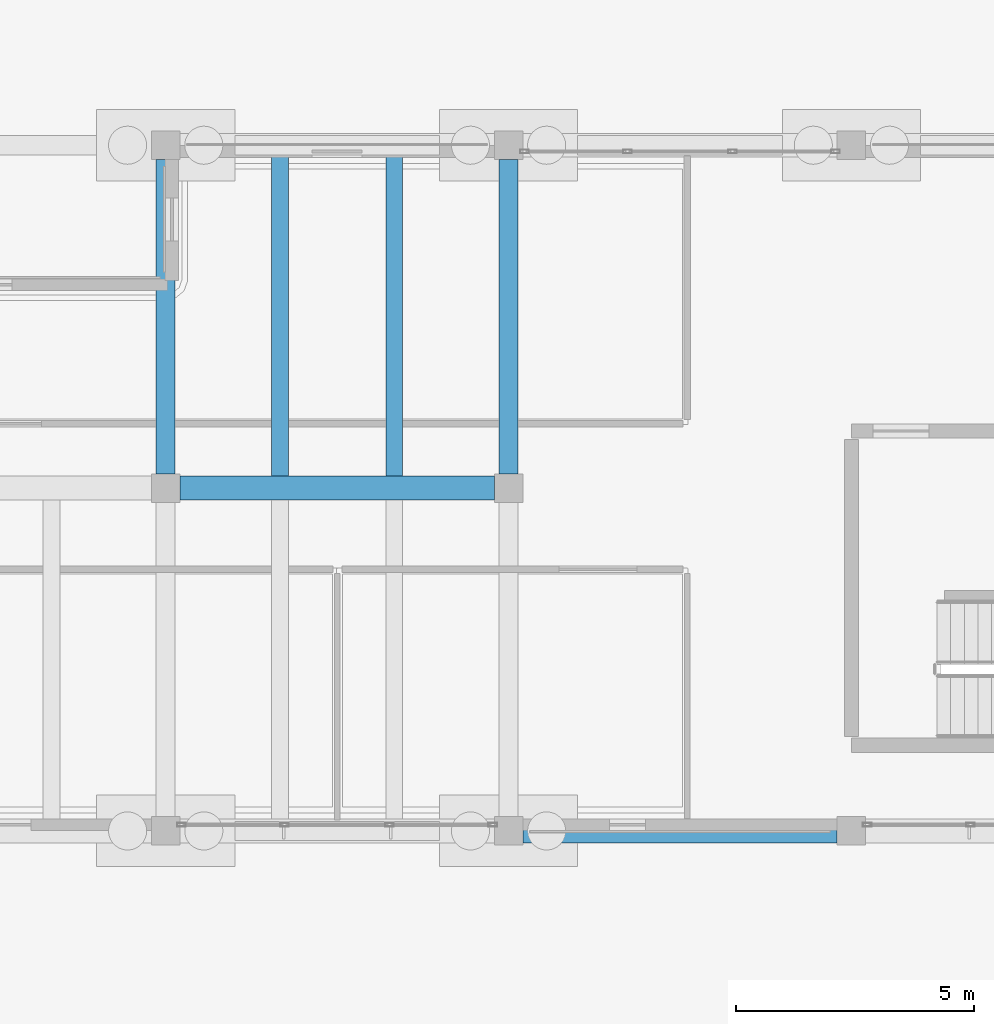
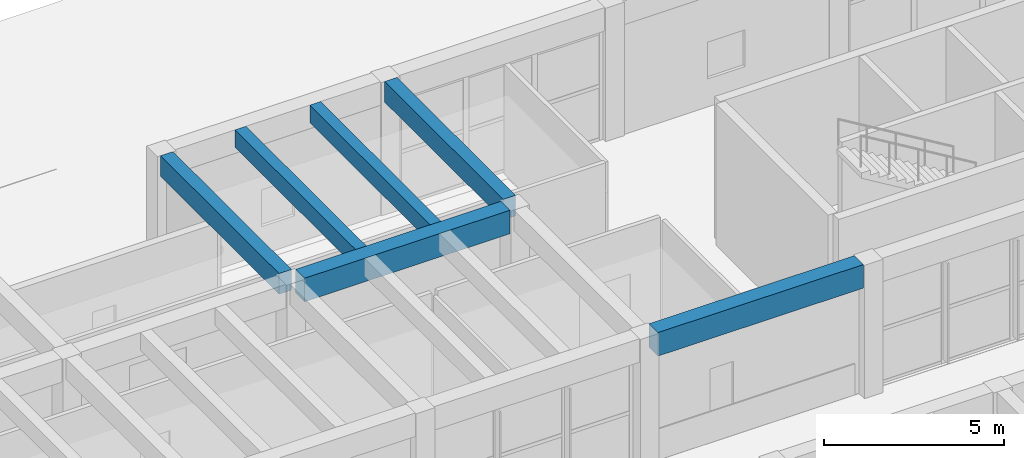
# One storey, part 93 of 155: 6 beams.
"""IFC4 building model written with IfcOpenShell, lengths in metres."""

from ifc_helpers import new_model, si_unit, direction, frame, origin, origin_2d, place, context, subcontext, project, spatial, rectangle, extrude, material, material_profile, profile_set, type_object, element, save


model = new_model("IFC4")

# Units and contexts
model_context = context("Model", 3, precision=1e-05, world=origin(), true_north=direction((0.0, 1.0)))
body_context = subcontext(model_context, "Body", "Model", "MODEL_VIEW")
ifc_project = project(units=[si_unit("LENGTHUNIT", "METRE"), si_unit("AREAUNIT", "SQUARE_METRE"), si_unit("VOLUMEUNIT", "CUBIC_METRE"), si_unit("PLANEANGLEUNIT", "RADIAN"), si_unit("MASSUNIT", "GRAM", prefix="KILO")], contexts=[model_context])

# Site, building, storey
site_placement = place(None, origin())
site = spatial("IfcSite", under=ifc_project, at=site_placement, CompositionType="ELEMENT")
building_placement = place(site_placement, origin())
building = spatial("IfcBuilding", under=site, at=building_placement, Name="Bramvelor Terrace Health Centre", CompositionType="ELEMENT")
storey_placement = place(building_placement, origin())
storey = spatial("IfcBuildingStorey", under=building, at=storey_placement, Name="L01", CompositionType="ELEMENT", Elevation=0.0)

# Beams
ifc_material_1 = material(Name="Concrete C40/50", Category="concrete")
ifc_material_profile_1 = material_profile(ifc_material_1, rectangle(XDim=0.39990234375, YDim=0.699951171875, at=origin_2d()), Name="RC 400x700")
ifc_profile_set_1 = profile_set([ifc_material_profile_1], Name="Concrete C40/50")
beam_type_1 = type_object("IfcBeamType", Name="BM-RC-G700", PredefinedType="BEAM", material=ifc_profile_set_1)
for number, where, z_axis, x_axis, name in (
    (1, (64.800048828125, 93.89990234375, 4.179931640625), (0.0, 1.0, 0.0), (-1.0, 0.0, 0.0), "L01 Floor Girder"),
    (2, (72.0, 93.89990234375, 4.179931640625), (0.0, 1.0, 0.0), (-1.0, 0.0, 0.0), "L01 Floor Girder"),
):
    element("IfcBeam", number, at=place(storey_placement, frame(where, z_axis=z_axis, x_axis=x_axis)), inside=storey, type_object=beam_type_1, Name=name, PredefinedType="BEAM", context=body_context, shape_type="SweptSolid", body=[
        extrude(rectangle(XDim=0.39990234375, YDim=0.699951171875, at=origin_2d()), origin(), (0.0, 0.0, 1.0), 6.60009765625),
    ])
ifc_material_2 = material(Name="Concrete C40/50", Category="concrete")
ifc_material_profile_2 = material_profile(ifc_material_2, rectangle(XDim=0.5, YDim=0.800048828125, at=origin_2d()), Name="RC 500x800")
ifc_profile_set_2 = profile_set([ifc_material_profile_2], Name="Concrete C40/50")
beam_type_2 = type_object("IfcBeamType", Name="BM-RC-G800", PredefinedType="BEAM", material=ifc_profile_set_2)
for number, where, z_axis, x_axis, name in (
    (3, (65.10009765625, 93.60009765625, 4.1298828125), (1.0, 0.0, 0.0), (0.0, 1.0, 0.0), "L01 Floor Girder"),
    (4, (72.300048828125, 86.39990234375, 4.1298828125), (1.0, 0.0, 0.0), (0.0, 1.0, 0.0), "L01 Floor Girder"),
):
    element("IfcBeam", number, at=place(storey_placement, frame(where, z_axis=z_axis, x_axis=x_axis)), inside=storey, type_object=beam_type_2, Name=name, PredefinedType="BEAM", context=body_context, shape_type="SweptSolid", body=[
        extrude(rectangle(XDim=0.5, YDim=0.800048828125, at=origin_2d()), origin(), (0.0, 0.0, 1.0), 6.599853515625),
    ])
ifc_material_3 = material(Name="Concrete C40/50", Category="concrete")
ifc_material_profile_3 = material_profile(ifc_material_3, rectangle(XDim=0.35009765625, YDim=0.60009765625, at=origin_2d()), Name="RC 350x600")
ifc_profile_set_3 = profile_set([ifc_material_profile_3], Name="Concrete C40/50")
beam_type_3 = type_object("IfcBeamType", Name="BM-RC-J600", PredefinedType="JOIST", material=ifc_profile_set_3)
for number, where, z_axis, x_axis, name in (
    (5, (67.199951171875, 93.85009765625, 4.22998046875), (0.0, 1.0, 0.0), (-1.0, 0.0, 0.0), "L01 Secondary Floor Joist"),
    (6, (69.60009765625, 93.85009765625, 4.22998046875), (0.0, 1.0, 0.0), (-1.0, 0.0, 0.0), "L01 Secondary Floor Joist"),
):
    element("IfcBeam", number, at=place(storey_placement, frame(where, z_axis=z_axis, x_axis=x_axis)), inside=storey, type_object=beam_type_3, Name=name, PredefinedType="JOIST", context=body_context, shape_type="SweptSolid", body=[
        extrude(rectangle(XDim=0.35009765625, YDim=0.60009765625, at=origin_2d()), origin(), (0.0, 0.0, 1.0), 6.699951171875),
    ])

save(model, "model.ifc")
